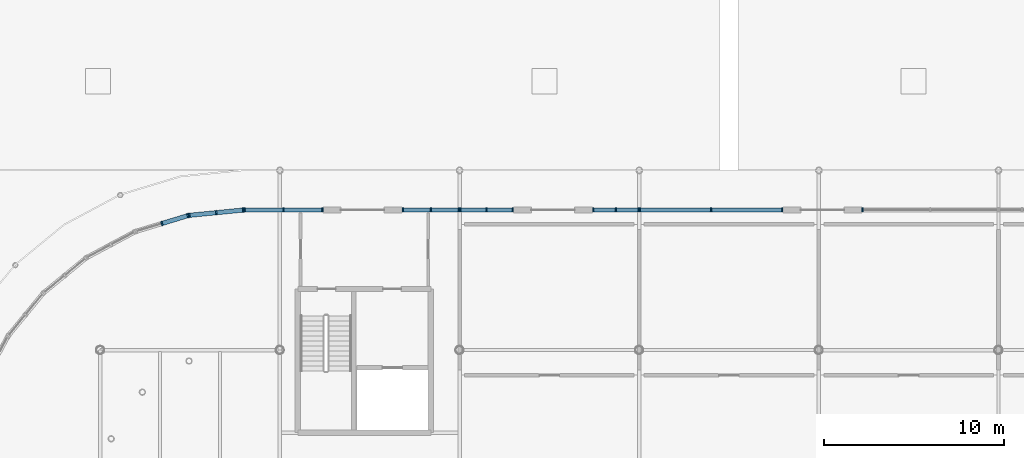
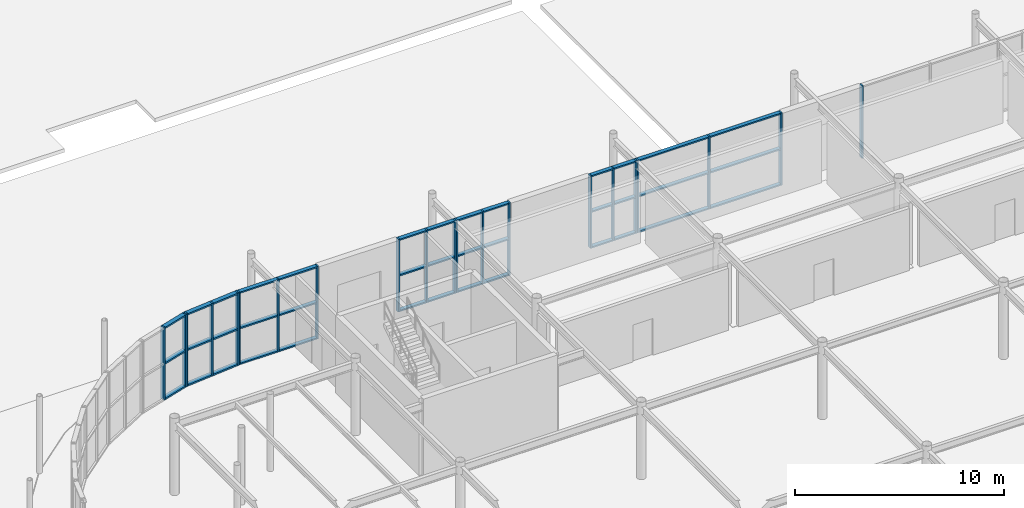
# One storey, part 60 of 119: 60 members, 8 elements without a shape of their own.
"""IFC4 building model written with IfcOpenShell, lengths in metres."""

from ifc_helpers import new_model, si_unit, derived_unit, direction, frame, origin, origin_2d_with_axis, place, context, subcontext, project, spatial, rectangle, extrude, material, material_profile, profile_set, type_object, element, aggregate, save


model = new_model("IFC4")

# Units and contexts
model_context = context("Model", 3, precision=1e-05, world=origin(), true_north=direction((0.0, 1.0)))
body_context = subcontext(model_context, "Body", "Model", "MODEL_VIEW")
ifc_project = project(units=[si_unit("LENGTHUNIT", "METRE"), si_unit("AREAUNIT", "SQUARE_METRE"), si_unit("VOLUMEUNIT", "CUBIC_METRE"), si_unit("PLANEANGLEUNIT", "RADIAN"), si_unit("MASSUNIT", "GRAM", prefix="KILO"), derived_unit("THERMALTRANSMITTANCEUNIT", [(si_unit("POWERUNIT", "WATT"), 1), (si_unit("LENGTHUNIT", "METRE"), -2), (si_unit("THERMODYNAMICTEMPERATUREUNIT", "KELVIN"), -1)])], contexts=[model_context])

# Site, building, storey
site_placement = place(None, origin())
site = spatial("IfcSite", under=ifc_project, at=site_placement, CompositionType="ELEMENT")
building_placement = place(site_placement, origin())
building = spatial("IfcBuilding", under=site, at=building_placement, Name="Cinnabar Yard Market Hall", CompositionType="ELEMENT")
storey_placement = place(building_placement, origin())
storey = spatial("IfcBuildingStorey", under=building, at=storey_placement, Name="L00", CompositionType="ELEMENT", Elevation=0.0)

# Curtain wall, members
ifc_material_1 = material(Name="Anodised bronze aluminium curved-chord facade", Category="aluminium")
curtain_wall_type_1 = type_object("IfcCurtainWallType", Name="CW-CWC031x42", PredefinedType="NOTDEFINED", material=ifc_material_1)
curtain_wall_1_placement = place(storey_placement, origin())
curtain_wall_1 = element("IfcCurtainWall", 1, at=curtain_wall_1_placement, inside=storey, type_object=curtain_wall_type_1, Name="Corner NW Chord 1 L00", PredefinedType="NOTDEFINED")
ifc_material_2 = material(Name="Anodised bronze aluminium", Category="aluminium")
ifc_material_profile_1 = material_profile(ifc_material_2, rectangle(XDim=0.239990234375, YDim=0.090087890625, at=origin_2d_with_axis()), Name="MUL-CWC")
ifc_profile_set_1 = profile_set([ifc_material_profile_1], Name="Anodised bronze aluminium")
member_type_1 = type_object("IfcMemberType", Name="CWM-CWC", PredefinedType="MULLION", material=ifc_profile_set_1)
member_1_placement = place(storey_placement, frame((83.955322265625, 71.795654296875, 0.0), z_axis=(0.0, 0.0, 1.0), x_axis=(0.098020369342, -0.995184408637, 0.0)))
member_1 = element("IfcMember", 2, at=member_1_placement, type_object=member_type_1, Name="CWC031x42 mullion 1", PredefinedType="MULLION", context=body_context, shape_type="SweptSolid", body=[
    extrude(rectangle(XDim=0.239990234375, YDim=0.090087890625, at=origin_2d_with_axis()), origin(), (0.0, 0.0, 1.0), 4.239990234375),
])
member_2_placement = place(storey_placement, frame((82.458740234375, 71.648193359375, 0.0), z_axis=(0.0, 0.0, 1.0), x_axis=(0.098020369342, -0.995184408637, 0.0)))
member_2 = element("IfcMember", 3, at=member_2_placement, type_object=member_type_1, Name="CWC031x42 mullion 2", PredefinedType="MULLION", context=body_context, shape_type="SweptSolid", body=[
    extrude(rectangle(XDim=0.239990234375, YDim=0.090087890625, at=origin_2d_with_axis()), origin(), (0.0, 0.0, 1.0), 4.239990234375),
])
member_3_placement = place(storey_placement, frame((80.96240234375, 71.500732421875, 0.0), z_axis=(0.0, 0.0, 1.0), x_axis=(0.098020369342, -0.995184408637, 0.0)))
member_3 = element("IfcMember", 4, at=member_3_placement, type_object=member_type_1, Name="CWC031x42 mullion 3", PredefinedType="MULLION", context=body_context, shape_type="SweptSolid", body=[
    extrude(rectangle(XDim=0.239990234375, YDim=0.090087890625, at=origin_2d_with_axis()), origin(), (0.0, 0.0, 1.0), 4.239990234375),
])

curtain_wall_2_placement = place(storey_placement, origin())
curtain_wall_2 = element("IfcCurtainWall", 5, at=curtain_wall_2_placement, inside=storey, type_object=curtain_wall_type_1, Name="Corner NW Chord 2 L00", PredefinedType="NOTDEFINED")
member_4_placement = place(storey_placement, frame((80.87451171875, 71.4833984375, 0.0), z_axis=(0.0, 0.0, 1.0), x_axis=(0.290278891325, -0.956942090856, 0.0)))
member_4 = element("IfcMember", 6, at=member_4_placement, type_object=member_type_1, Name="CWC031x42 mullion 1", PredefinedType="MULLION", context=body_context, shape_type="SweptSolid", body=[
    extrude(rectangle(XDim=0.239990234375, YDim=0.090087890625, at=origin_2d_with_axis()), origin(), (0.0, 0.0, 1.0), 4.239990234375),
])
member_5_placement = place(storey_placement, frame((79.435546875, 71.046875, 0.0), z_axis=(0.0, 0.0, 1.0), x_axis=(0.290278891325, -0.956942090856, 0.0)))
member_5 = element("IfcMember", 7, at=member_5_placement, type_object=member_type_1, Name="CWC031x42 mullion 2", PredefinedType="MULLION", context=body_context, shape_type="SweptSolid", body=[
    extrude(rectangle(XDim=0.239990234375, YDim=0.090087890625, at=origin_2d_with_axis()), origin(), (0.0, 0.0, 1.0), 4.239990234375),
])

ifc_material_3 = material(Name="Anodised bronze aluminium and low-E glass", Category="aluminium")
curtain_wall_type_2 = type_object("IfcCurtainWallType", Name="CW-CWH044x42", PredefinedType="NOTDEFINED", material=ifc_material_3)
curtain_wall_3_placement = place(storey_placement, origin())
curtain_wall_3 = element("IfcCurtainWall", 8, at=curtain_wall_3_placement, inside=storey, type_object=curtain_wall_type_2, Name="Market Hall North Ground Glazing B1A", PredefinedType="NOTDEFINED")
ifc_material_profile_2 = material_profile(ifc_material_2, rectangle(XDim=0.219970703125, YDim=0.080078125, at=origin_2d_with_axis()), Name="MUL-CWH")
ifc_profile_set_2 = profile_set([ifc_material_profile_2], Name="Anodised bronze aluminium")
member_type_2 = type_object("IfcMemberType", Name="CWM-CWH", PredefinedType="MULLION", material=ifc_profile_set_2)
member_6_placement = place(storey_placement, frame((88.360107421875, 71.800048828125, 0.0), z_axis=(0.0, 0.0, 1.0), x_axis=(0.0, -1.0, 0.0)))
member_6 = element("IfcMember", 9, at=member_6_placement, type_object=member_type_2, Name="CWH044x42 mullion 1", PredefinedType="MULLION", context=body_context, shape_type="SweptSolid", body=[
    extrude(rectangle(XDim=0.219970703125, YDim=0.080078125, at=origin_2d_with_axis()), origin(), (0.0, 0.0, 1.0), 4.239990234375),
])
member_7_placement = place(storey_placement, frame((86.199951171875, 71.800048828125, 0.0), z_axis=(0.0, 0.0, 1.0), x_axis=(0.0, -1.0, 0.0)))
member_7 = element("IfcMember", 10, at=member_7_placement, type_object=member_type_2, Name="CWH044x42 mullion 2", PredefinedType="MULLION", context=body_context, shape_type="SweptSolid", body=[
    extrude(rectangle(XDim=0.219970703125, YDim=0.080078125, at=origin_2d_with_axis()), origin(), (0.0, 0.0, 1.0), 4.239990234375),
])
member_8_placement = place(storey_placement, frame((84.0400390625, 71.800048828125, 0.0), z_axis=(0.0, 0.0, 1.0), x_axis=(0.0, -1.0, 0.0)))
member_8 = element("IfcMember", 11, at=member_8_placement, type_object=member_type_2, Name="CWH044x42 mullion 3", PredefinedType="MULLION", context=body_context, shape_type="SweptSolid", body=[
    extrude(rectangle(XDim=0.219970703125, YDim=0.080078125, at=origin_2d_with_axis()), origin(), (0.0, 0.0, 1.0), 4.239990234375),
])

curtain_wall_type_3 = type_object("IfcCurtainWallType", Name="CW-CWH032x42", PredefinedType="NOTDEFINED", material=ifc_material_3)
curtain_wall_4_placement = place(storey_placement, origin())
curtain_wall_4 = element("IfcCurtainWall", 12, at=curtain_wall_4_placement, inside=storey, type_object=curtain_wall_type_3, Name="Market Hall North Ground Glazing B1B", PredefinedType="NOTDEFINED")
member_9_placement = place(storey_placement, frame((95.9599609375, 71.800048828125, 0.0), z_axis=(0.0, 0.0, 1.0), x_axis=(0.0, -1.0, 0.0)))
member_9 = element("IfcMember", 13, at=member_9_placement, type_object=member_type_2, Name="CWH032x42 mullion 1", PredefinedType="MULLION", context=body_context, shape_type="SweptSolid", body=[
    extrude(rectangle(XDim=0.219970703125, YDim=0.080078125, at=origin_2d_with_axis()), origin(), (0.0, 0.0, 1.0), 4.239990234375),
])
member_10_placement = place(storey_placement, frame((94.39990234375, 71.800048828125, 0.0), z_axis=(0.0, 0.0, 1.0), x_axis=(0.0, -1.0, 0.0)))
member_10 = element("IfcMember", 14, at=member_10_placement, type_object=member_type_2, Name="CWH032x42 mullion 2", PredefinedType="MULLION", context=body_context, shape_type="SweptSolid", body=[
    extrude(rectangle(XDim=0.219970703125, YDim=0.080078125, at=origin_2d_with_axis()), origin(), (0.0, 0.0, 1.0), 4.239990234375),
])
member_11_placement = place(storey_placement, frame((92.840087890625, 71.800048828125, 0.0), z_axis=(0.0, 0.0, 1.0), x_axis=(0.0, -1.0, 0.0)))
member_11 = element("IfcMember", 15, at=member_11_placement, type_object=member_type_2, Name="CWH032x42 mullion 3", PredefinedType="MULLION", context=body_context, shape_type="SweptSolid", body=[
    extrude(rectangle(XDim=0.219970703125, YDim=0.080078125, at=origin_2d_with_axis()), origin(), (0.0, 0.0, 1.0), 4.239990234375),
])

curtain_wall_type_4 = type_object("IfcCurtainWallType", Name="CW-CWH030x42", PredefinedType="NOTDEFINED", material=ifc_material_3)
curtain_wall_5_placement = place(storey_placement, origin())
curtain_wall_5 = element("IfcCurtainWall", 16, at=curtain_wall_5_placement, inside=storey, type_object=curtain_wall_type_4, Name="Market Hall North Ground Glazing B2A", PredefinedType="NOTDEFINED")
member_12_placement = place(storey_placement, frame((98.9599609375, 71.800048828125, 0.0), z_axis=(0.0, 0.0, 1.0), x_axis=(0.0, -1.0, 0.0)))
member_12 = element("IfcMember", 17, at=member_12_placement, type_object=member_type_2, Name="CWH030x42 mullion 1", PredefinedType="MULLION", context=body_context, shape_type="SweptSolid", body=[
    extrude(rectangle(XDim=0.219970703125, YDim=0.080078125, at=origin_2d_with_axis()), origin(), (0.0, 0.0, 1.0), 4.239990234375),
])
member_13_placement = place(storey_placement, frame((97.5, 71.800048828125, 0.0), z_axis=(0.0, 0.0, 1.0), x_axis=(0.0, -1.0, 0.0)))
member_13 = element("IfcMember", 18, at=member_13_placement, type_object=member_type_2, Name="CWH030x42 mullion 2", PredefinedType="MULLION", context=body_context, shape_type="SweptSolid", body=[
    extrude(rectangle(XDim=0.219970703125, YDim=0.080078125, at=origin_2d_with_axis()), origin(), (0.0, 0.0, 1.0), 4.239990234375),
])
member_14_placement = place(storey_placement, frame((96.0400390625, 71.800048828125, 0.0), z_axis=(0.0, 0.0, 1.0), x_axis=(0.0, -1.0, 0.0)))
member_14 = element("IfcMember", 19, at=member_14_placement, type_object=member_type_2, Name="CWH030x42 mullion 3", PredefinedType="MULLION", context=body_context, shape_type="SweptSolid", body=[
    extrude(rectangle(XDim=0.219970703125, YDim=0.080078125, at=origin_2d_with_axis()), origin(), (0.0, 0.0, 1.0), 4.239990234375),
])

curtain_wall_type_5 = type_object("IfcCurtainWallType", Name="CW-CWH026x42", PredefinedType="NOTDEFINED", material=ifc_material_3)
curtain_wall_6_placement = place(storey_placement, origin())
curtain_wall_6 = element("IfcCurtainWall", 20, at=curtain_wall_6_placement, inside=storey, type_object=curtain_wall_type_5, Name="Market Hall North Ground Glazing B2B", PredefinedType="NOTDEFINED")
member_15_placement = place(storey_placement, frame((105.9599609375, 71.800048828125, 0.0), z_axis=(0.0, 0.0, 1.0), x_axis=(0.0, -1.0, 0.0)))
member_15 = element("IfcMember", 21, at=member_15_placement, type_object=member_type_2, Name="CWH026x42 mullion 1", PredefinedType="MULLION", context=body_context, shape_type="SweptSolid", body=[
    extrude(rectangle(XDim=0.219970703125, YDim=0.080078125, at=origin_2d_with_axis()), origin(), (0.0, 0.0, 1.0), 4.239990234375),
])
member_16_placement = place(storey_placement, frame((104.699951171875, 71.800048828125, 0.0), z_axis=(0.0, 0.0, 1.0), x_axis=(0.0, -1.0, 0.0)))
member_16 = element("IfcMember", 22, at=member_16_placement, type_object=member_type_2, Name="CWH026x42 mullion 2", PredefinedType="MULLION", context=body_context, shape_type="SweptSolid", body=[
    extrude(rectangle(XDim=0.219970703125, YDim=0.080078125, at=origin_2d_with_axis()), origin(), (0.0, 0.0, 1.0), 4.239990234375),
])
member_17_placement = place(storey_placement, frame((103.43994140625, 71.800048828125, 0.0), z_axis=(0.0, 0.0, 1.0), x_axis=(0.0, -1.0, 0.0)))
member_17 = element("IfcMember", 23, at=member_17_placement, type_object=member_type_2, Name="CWH026x42 mullion 3", PredefinedType="MULLION", context=body_context, shape_type="SweptSolid", body=[
    extrude(rectangle(XDim=0.219970703125, YDim=0.080078125, at=origin_2d_with_axis()), origin(), (0.0, 0.0, 1.0), 4.239990234375),
])

curtain_wall_type_6 = type_object("IfcCurtainWallType", Name="CW-CWH080x42", PredefinedType="NOTDEFINED", material=ifc_material_3)
curtain_wall_7_placement = place(storey_placement, origin())
curtain_wall_7 = element("IfcCurtainWall", 24, at=curtain_wall_7_placement, inside=storey, type_object=curtain_wall_type_6, Name="Market Hall North Ground Glazing B3", PredefinedType="NOTDEFINED")
member_18_placement = place(storey_placement, frame((113.9599609375, 71.800048828125, 0.0), z_axis=(0.0, 0.0, 1.0), x_axis=(0.0, -1.0, 0.0)))
member_18 = element("IfcMember", 25, at=member_18_placement, type_object=member_type_2, Name="CWH080x42 mullion 1", PredefinedType="MULLION", context=body_context, shape_type="SweptSolid", body=[
    extrude(rectangle(XDim=0.219970703125, YDim=0.080078125, at=origin_2d_with_axis()), origin(), (0.0, 0.0, 1.0), 4.239990234375),
])
member_19_placement = place(storey_placement, frame((110.0, 71.800048828125, 0.0), z_axis=(0.0, 0.0, 1.0), x_axis=(0.0, -1.0, 0.0)))
member_19 = element("IfcMember", 26, at=member_19_placement, type_object=member_type_2, Name="CWH080x42 mullion 2", PredefinedType="MULLION", context=body_context, shape_type="SweptSolid", body=[
    extrude(rectangle(XDim=0.219970703125, YDim=0.080078125, at=origin_2d_with_axis()), origin(), (0.0, 0.0, 1.0), 4.239990234375),
])
member_20_placement = place(storey_placement, frame((106.0400390625, 71.800048828125, 0.0), z_axis=(0.0, 0.0, 1.0), x_axis=(0.0, -1.0, 0.0)))
member_20 = element("IfcMember", 27, at=member_20_placement, type_object=member_type_2, Name="CWH080x42 mullion 3", PredefinedType="MULLION", context=body_context, shape_type="SweptSolid", body=[
    extrude(rectangle(XDim=0.219970703125, YDim=0.080078125, at=origin_2d_with_axis()), origin(), (0.0, 0.0, 1.0), 4.239990234375),
])

# Curtain wall, member
curtain_wall_type_7 = type_object("IfcCurtainWallType", Name="CW-CWH076x42", PredefinedType="NOTDEFINED", material=ifc_material_3)
curtain_wall_8_placement = place(storey_placement, origin())
curtain_wall_8 = element("IfcCurtainWall", 28, at=curtain_wall_8_placement, inside=storey, type_object=curtain_wall_type_7, Name="Market Hall North Ground Glazing B4", PredefinedType="NOTDEFINED")
member_21_placement = place(storey_placement, frame((118.43994140625, 71.800048828125, 0.0), z_axis=(0.0, 0.0, 1.0), x_axis=(0.0, -1.0, 0.0)))
member_21 = element("IfcMember", 29, at=member_21_placement, type_object=member_type_2, Name="CWH076x42 mullion 3", PredefinedType="MULLION", context=body_context, shape_type="SweptSolid", body=[
    extrude(rectangle(XDim=0.219970703125, YDim=0.080078125, at=origin_2d_with_axis()), origin(), (0.0, 0.0, 1.0), 4.239990234375),
])
aggregate(curtain_wall_8, [member_21])

# Member
ifc_material_profile_3 = material_profile(ifc_material_2, rectangle(XDim=0.239990234375, YDim=0.090087890625, at=origin_2d_with_axis()), Name="TRN-CWC")
ifc_profile_set_3 = profile_set([ifc_material_profile_3], Name="Anodised bronze aluminium")
member_type_3 = type_object("IfcMemberType", Name="CWT-CWC", PredefinedType="USERDEFINED", material=ifc_profile_set_3)
member_22_placement = place(storey_placement, frame((83.910400390625, 71.791259765625, 0.044921875), z_axis=(-0.995176425197, -0.098101390058, 0.0), x_axis=(0.098101390058, -0.995176425197, 0.0)))
member_22 = element("IfcMember", 30, at=member_22_placement, type_object=member_type_3, Name="CWC031x42 transom 1.1", ObjectType="TRANSOM", PredefinedType="USERDEFINED", context=body_context, shape_type="SweptSolid", body=[
    extrude(rectangle(XDim=0.239990234375, YDim=0.090087890625, at=origin_2d_with_axis()), origin(), (0.0, 0.0, 1.0), 1.41357421875),
])

member_23_placement = place(storey_placement, frame((83.910400390625, 71.791259765625, 2.1201171875), z_axis=(-0.995176425197, -0.098101390058, 0.0), x_axis=(0.098101390058, -0.995176425197, 0.0)))
member_23 = element("IfcMember", 31, at=member_23_placement, type_object=member_type_3, Name="CWC031x42 transom 1.2", ObjectType="TRANSOM", PredefinedType="USERDEFINED", context=body_context, shape_type="SweptSolid", body=[
    extrude(rectangle(XDim=0.239990234375, YDim=0.090087890625, at=origin_2d_with_axis()), origin(), (0.0, 0.0, 1.0), 1.41357421875),
])

member_24_placement = place(storey_placement, frame((83.910400390625, 71.791259765625, 4.195068359375), z_axis=(-0.995176425197, -0.098101390058, 0.0), x_axis=(0.098101390058, -0.995176425197, 0.0)))
member_24 = element("IfcMember", 32, at=member_24_placement, type_object=member_type_3, Name="CWC031x42 transom 1.3", ObjectType="TRANSOM", PredefinedType="USERDEFINED", context=body_context, shape_type="SweptSolid", body=[
    extrude(rectangle(XDim=0.239990234375, YDim=0.090087890625, at=origin_2d_with_axis()), origin(), (0.0, 0.0, 1.0), 1.41357421875),
])

member_25_placement = place(storey_placement, frame((82.4140625, 71.643798828125, 0.044921875), z_axis=(-0.995178086946, -0.098084531214, 0.0), x_axis=(0.098084531214, -0.995178086946, 0.0)))
member_25 = element("IfcMember", 33, at=member_25_placement, type_object=member_type_3, Name="CWC031x42 transom 2.1", ObjectType="TRANSOM", PredefinedType="USERDEFINED", context=body_context, shape_type="SweptSolid", body=[
    extrude(rectangle(XDim=0.239990234375, YDim=0.090087890625, at=origin_2d_with_axis()), origin(), (0.0, 0.0, 1.0), 1.413818359375),
])

member_26_placement = place(storey_placement, frame((82.4140625, 71.643798828125, 2.1201171875), z_axis=(-0.995178086946, -0.098084531214, 0.0), x_axis=(0.098084531214, -0.995178086946, 0.0)))
member_26 = element("IfcMember", 34, at=member_26_placement, type_object=member_type_3, Name="CWC031x42 transom 2.2", ObjectType="TRANSOM", PredefinedType="USERDEFINED", context=body_context, shape_type="SweptSolid", body=[
    extrude(rectangle(XDim=0.239990234375, YDim=0.090087890625, at=origin_2d_with_axis()), origin(), (0.0, 0.0, 1.0), 1.413818359375),
])

member_27_placement = place(storey_placement, frame((82.4140625, 71.643798828125, 4.195068359375), z_axis=(-0.995178086946, -0.098084531214, 0.0), x_axis=(0.098084531214, -0.995178086946, 0.0)))
member_27 = element("IfcMember", 35, at=member_27_placement, type_object=member_type_3, Name="CWC031x42 transom 2.3", ObjectType="TRANSOM", PredefinedType="USERDEFINED", context=body_context, shape_type="SweptSolid", body=[
    extrude(rectangle(XDim=0.239990234375, YDim=0.090087890625, at=origin_2d_with_axis()), origin(), (0.0, 0.0, 1.0), 1.413818359375),
])

aggregate(curtain_wall_1, [member_1, member_2, member_3, member_22, member_23, member_24, member_25, member_26, member_27])

member_28_placement = place(storey_placement, frame((80.83154296875, 71.47021484375, 0.044921875), z_axis=(-0.956932850279, -0.290309352341, 0.0), x_axis=(0.290309352341, -0.956932850279, 0.0)))
member_28 = element("IfcMember", 36, at=member_28_placement, type_object=member_type_3, Name="CWC031x42 transom 1.1", ObjectType="TRANSOM", PredefinedType="USERDEFINED", context=body_context, shape_type="SweptSolid", body=[
    extrude(rectangle(XDim=0.239990234375, YDim=0.090087890625, at=origin_2d_with_axis()), origin(), (0.0, 0.0, 1.0), 1.41357421875),
])

member_29_placement = place(storey_placement, frame((80.83154296875, 71.47021484375, 2.1201171875), z_axis=(-0.956932850279, -0.290309352341, 0.0), x_axis=(0.290309352341, -0.956932850279, 0.0)))
member_29 = element("IfcMember", 37, at=member_29_placement, type_object=member_type_3, Name="CWC031x42 transom 1.2", ObjectType="TRANSOM", PredefinedType="USERDEFINED", context=body_context, shape_type="SweptSolid", body=[
    extrude(rectangle(XDim=0.239990234375, YDim=0.090087890625, at=origin_2d_with_axis()), origin(), (0.0, 0.0, 1.0), 1.41357421875),
])

member_30_placement = place(storey_placement, frame((80.83154296875, 71.47021484375, 4.195068359375), z_axis=(-0.956932850279, -0.290309352341, 0.0), x_axis=(0.290309352341, -0.956932850279, 0.0)))
member_30 = element("IfcMember", 38, at=member_30_placement, type_object=member_type_3, Name="CWC031x42 transom 1.3", ObjectType="TRANSOM", PredefinedType="USERDEFINED", context=body_context, shape_type="SweptSolid", body=[
    extrude(rectangle(XDim=0.239990234375, YDim=0.090087890625, at=origin_2d_with_axis()), origin(), (0.0, 0.0, 1.0), 1.41357421875),
])

aggregate(curtain_wall_2, [member_4, member_5, member_28, member_29, member_30])

ifc_material_profile_4 = material_profile(ifc_material_2, rectangle(XDim=0.219970703125, YDim=0.080078125, at=origin_2d_with_axis()), Name="TRN-CWH")
ifc_profile_set_4 = profile_set([ifc_material_profile_4], Name="Anodised bronze aluminium")
member_type_4 = type_object("IfcMemberType", Name="CWT-CWH", PredefinedType="USERDEFINED", material=ifc_profile_set_4)
member_31_placement = place(storey_placement, frame((88.320068359375, 71.800048828125, 0.0400390625), z_axis=(-1.0, 0.0, 0.0), x_axis=(0.0, -1.0, 0.0)))
member_31 = element("IfcMember", 39, at=member_31_placement, type_object=member_type_4, Name="CWH044x42 transom 1.1", ObjectType="TRANSOM", PredefinedType="USERDEFINED", context=body_context, shape_type="SweptSolid", body=[
    extrude(rectangle(XDim=0.219970703125, YDim=0.080078125, at=origin_2d_with_axis()), origin(), (0.0, 0.0, 1.0), 2.080078125),
])

member_32_placement = place(storey_placement, frame((88.320068359375, 71.800048828125, 2.1201171875), z_axis=(-1.0, 0.0, 0.0), x_axis=(0.0, -1.0, 0.0)))
member_32 = element("IfcMember", 40, at=member_32_placement, type_object=member_type_4, Name="CWH044x42 transom 1.2", ObjectType="TRANSOM", PredefinedType="USERDEFINED", context=body_context, shape_type="SweptSolid", body=[
    extrude(rectangle(XDim=0.219970703125, YDim=0.080078125, at=origin_2d_with_axis()), origin(), (0.0, 0.0, 1.0), 2.080078125),
])

member_33_placement = place(storey_placement, frame((88.320068359375, 71.800048828125, 4.199951171875), z_axis=(-1.0, 0.0, 0.0), x_axis=(0.0, -1.0, 0.0)))
member_33 = element("IfcMember", 41, at=member_33_placement, type_object=member_type_4, Name="CWH044x42 transom 1.3", ObjectType="TRANSOM", PredefinedType="USERDEFINED", context=body_context, shape_type="SweptSolid", body=[
    extrude(rectangle(XDim=0.219970703125, YDim=0.080078125, at=origin_2d_with_axis()), origin(), (0.0, 0.0, 1.0), 2.080078125),
])

member_34_placement = place(storey_placement, frame((86.159912109375, 71.800048828125, 0.0400390625), z_axis=(-1.0, 0.0, 0.0), x_axis=(0.0, -1.0, 0.0)))
member_34 = element("IfcMember", 42, at=member_34_placement, type_object=member_type_4, Name="CWH044x42 transom 2.1", ObjectType="TRANSOM", PredefinedType="USERDEFINED", context=body_context, shape_type="SweptSolid", body=[
    extrude(rectangle(XDim=0.219970703125, YDim=0.080078125, at=origin_2d_with_axis()), origin(), (0.0, 0.0, 1.0), 2.079833984375),
])

member_35_placement = place(storey_placement, frame((86.159912109375, 71.800048828125, 2.1201171875), z_axis=(-1.0, 0.0, 0.0), x_axis=(0.0, -1.0, 0.0)))
member_35 = element("IfcMember", 43, at=member_35_placement, type_object=member_type_4, Name="CWH044x42 transom 2.2", ObjectType="TRANSOM", PredefinedType="USERDEFINED", context=body_context, shape_type="SweptSolid", body=[
    extrude(rectangle(XDim=0.219970703125, YDim=0.080078125, at=origin_2d_with_axis()), origin(), (0.0, 0.0, 1.0), 2.079833984375),
])

member_36_placement = place(storey_placement, frame((86.159912109375, 71.800048828125, 4.199951171875), z_axis=(-1.0, 0.0, 0.0), x_axis=(0.0, -1.0, 0.0)))
member_36 = element("IfcMember", 44, at=member_36_placement, type_object=member_type_4, Name="CWH044x42 transom 2.3", ObjectType="TRANSOM", PredefinedType="USERDEFINED", context=body_context, shape_type="SweptSolid", body=[
    extrude(rectangle(XDim=0.219970703125, YDim=0.080078125, at=origin_2d_with_axis()), origin(), (0.0, 0.0, 1.0), 2.079833984375),
])

aggregate(curtain_wall_3, [member_6, member_7, member_8, member_31, member_32, member_33, member_34, member_35, member_36])

member_37_placement = place(storey_placement, frame((95.919921875, 71.800048828125, 0.0400390625), z_axis=(-1.0, 0.0, 0.0), x_axis=(0.0, -1.0, 0.0)))
member_37 = element("IfcMember", 45, at=member_37_placement, type_object=member_type_4, Name="CWH032x42 transom 1.1", ObjectType="TRANSOM", PredefinedType="USERDEFINED", context=body_context, shape_type="SweptSolid", body=[
    extrude(rectangle(XDim=0.219970703125, YDim=0.080078125, at=origin_2d_with_axis()), origin(), (0.0, 0.0, 1.0), 1.47998046875),
])

member_38_placement = place(storey_placement, frame((95.919921875, 71.800048828125, 2.1201171875), z_axis=(-1.0, 0.0, 0.0), x_axis=(0.0, -1.0, 0.0)))
member_38 = element("IfcMember", 46, at=member_38_placement, type_object=member_type_4, Name="CWH032x42 transom 1.2", ObjectType="TRANSOM", PredefinedType="USERDEFINED", context=body_context, shape_type="SweptSolid", body=[
    extrude(rectangle(XDim=0.219970703125, YDim=0.080078125, at=origin_2d_with_axis()), origin(), (0.0, 0.0, 1.0), 1.47998046875),
])

member_39_placement = place(storey_placement, frame((95.919921875, 71.800048828125, 4.199951171875), z_axis=(-1.0, 0.0, 0.0), x_axis=(0.0, -1.0, 0.0)))
member_39 = element("IfcMember", 47, at=member_39_placement, type_object=member_type_4, Name="CWH032x42 transom 1.3", ObjectType="TRANSOM", PredefinedType="USERDEFINED", context=body_context, shape_type="SweptSolid", body=[
    extrude(rectangle(XDim=0.219970703125, YDim=0.080078125, at=origin_2d_with_axis()), origin(), (0.0, 0.0, 1.0), 1.47998046875),
])

member_40_placement = place(storey_placement, frame((94.360107421875, 71.800048828125, 0.0400390625), z_axis=(-1.0, 0.0, 0.0), x_axis=(0.0, -1.0, 0.0)))
member_40 = element("IfcMember", 48, at=member_40_placement, type_object=member_type_4, Name="CWH032x42 transom 2.1", ObjectType="TRANSOM", PredefinedType="USERDEFINED", context=body_context, shape_type="SweptSolid", body=[
    extrude(rectangle(XDim=0.219970703125, YDim=0.080078125, at=origin_2d_with_axis()), origin(), (0.0, 0.0, 1.0), 1.480224609375),
])

member_41_placement = place(storey_placement, frame((94.360107421875, 71.800048828125, 2.1201171875), z_axis=(-1.0, 0.0, 0.0), x_axis=(0.0, -1.0, 0.0)))
member_41 = element("IfcMember", 49, at=member_41_placement, type_object=member_type_4, Name="CWH032x42 transom 2.2", ObjectType="TRANSOM", PredefinedType="USERDEFINED", context=body_context, shape_type="SweptSolid", body=[
    extrude(rectangle(XDim=0.219970703125, YDim=0.080078125, at=origin_2d_with_axis()), origin(), (0.0, 0.0, 1.0), 1.480224609375),
])

member_42_placement = place(storey_placement, frame((94.360107421875, 71.800048828125, 4.199951171875), z_axis=(-1.0, 0.0, 0.0), x_axis=(0.0, -1.0, 0.0)))
member_42 = element("IfcMember", 50, at=member_42_placement, type_object=member_type_4, Name="CWH032x42 transom 2.3", ObjectType="TRANSOM", PredefinedType="USERDEFINED", context=body_context, shape_type="SweptSolid", body=[
    extrude(rectangle(XDim=0.219970703125, YDim=0.080078125, at=origin_2d_with_axis()), origin(), (0.0, 0.0, 1.0), 1.480224609375),
])

aggregate(curtain_wall_4, [member_9, member_10, member_11, member_37, member_38, member_39, member_40, member_41, member_42])

member_43_placement = place(storey_placement, frame((98.919921875, 71.800048828125, 0.0400390625), z_axis=(-1.0, 0.0, 0.0), x_axis=(0.0, -1.0, 0.0)))
member_43 = element("IfcMember", 51, at=member_43_placement, type_object=member_type_4, Name="CWH030x42 transom 1.1", ObjectType="TRANSOM", PredefinedType="USERDEFINED", context=body_context, shape_type="SweptSolid", body=[
    extrude(rectangle(XDim=0.219970703125, YDim=0.080078125, at=origin_2d_with_axis()), origin(), (0.0, 0.0, 1.0), 1.3798828125),
])

member_44_placement = place(storey_placement, frame((98.919921875, 71.800048828125, 2.1201171875), z_axis=(-1.0, 0.0, 0.0), x_axis=(0.0, -1.0, 0.0)))
member_44 = element("IfcMember", 52, at=member_44_placement, type_object=member_type_4, Name="CWH030x42 transom 1.2", ObjectType="TRANSOM", PredefinedType="USERDEFINED", context=body_context, shape_type="SweptSolid", body=[
    extrude(rectangle(XDim=0.219970703125, YDim=0.080078125, at=origin_2d_with_axis()), origin(), (0.0, 0.0, 1.0), 1.3798828125),
])

member_45_placement = place(storey_placement, frame((98.919921875, 71.800048828125, 4.199951171875), z_axis=(-1.0, 0.0, 0.0), x_axis=(0.0, -1.0, 0.0)))
member_45 = element("IfcMember", 53, at=member_45_placement, type_object=member_type_4, Name="CWH030x42 transom 1.3", ObjectType="TRANSOM", PredefinedType="USERDEFINED", context=body_context, shape_type="SweptSolid", body=[
    extrude(rectangle(XDim=0.219970703125, YDim=0.080078125, at=origin_2d_with_axis()), origin(), (0.0, 0.0, 1.0), 1.3798828125),
])

member_46_placement = place(storey_placement, frame((97.4599609375, 71.800048828125, 0.0400390625), z_axis=(-1.0, 0.0, 0.0), x_axis=(0.0, -1.0, 0.0)))
member_46 = element("IfcMember", 54, at=member_46_placement, type_object=member_type_4, Name="CWH030x42 transom 2.1", ObjectType="TRANSOM", PredefinedType="USERDEFINED", context=body_context, shape_type="SweptSolid", body=[
    extrude(rectangle(XDim=0.219970703125, YDim=0.080078125, at=origin_2d_with_axis()), origin(), (0.0, 0.0, 1.0), 1.3798828125),
])

member_47_placement = place(storey_placement, frame((97.4599609375, 71.800048828125, 2.1201171875), z_axis=(-1.0, 0.0, 0.0), x_axis=(0.0, -1.0, 0.0)))
member_47 = element("IfcMember", 55, at=member_47_placement, type_object=member_type_4, Name="CWH030x42 transom 2.2", ObjectType="TRANSOM", PredefinedType="USERDEFINED", context=body_context, shape_type="SweptSolid", body=[
    extrude(rectangle(XDim=0.219970703125, YDim=0.080078125, at=origin_2d_with_axis()), origin(), (0.0, 0.0, 1.0), 1.3798828125),
])

member_48_placement = place(storey_placement, frame((97.4599609375, 71.800048828125, 4.199951171875), z_axis=(-1.0, 0.0, 0.0), x_axis=(0.0, -1.0, 0.0)))
member_48 = element("IfcMember", 56, at=member_48_placement, type_object=member_type_4, Name="CWH030x42 transom 2.3", ObjectType="TRANSOM", PredefinedType="USERDEFINED", context=body_context, shape_type="SweptSolid", body=[
    extrude(rectangle(XDim=0.219970703125, YDim=0.080078125, at=origin_2d_with_axis()), origin(), (0.0, 0.0, 1.0), 1.3798828125),
])

aggregate(curtain_wall_5, [member_12, member_13, member_14, member_43, member_44, member_45, member_46, member_47, member_48])

member_49_placement = place(storey_placement, frame((105.919921875, 71.800048828125, 0.0400390625), z_axis=(-1.0, 0.0, 0.0), x_axis=(0.0, -1.0, 0.0)))
member_49 = element("IfcMember", 57, at=member_49_placement, type_object=member_type_4, Name="CWH026x42 transom 1.1", ObjectType="TRANSOM", PredefinedType="USERDEFINED", context=body_context, shape_type="SweptSolid", body=[
    extrude(rectangle(XDim=0.219970703125, YDim=0.080078125, at=origin_2d_with_axis()), origin(), (0.0, 0.0, 1.0), 1.179931640625),
])

member_50_placement = place(storey_placement, frame((105.919921875, 71.800048828125, 2.1201171875), z_axis=(-1.0, 0.0, 0.0), x_axis=(0.0, -1.0, 0.0)))
member_50 = element("IfcMember", 58, at=member_50_placement, type_object=member_type_4, Name="CWH026x42 transom 1.2", ObjectType="TRANSOM", PredefinedType="USERDEFINED", context=body_context, shape_type="SweptSolid", body=[
    extrude(rectangle(XDim=0.219970703125, YDim=0.080078125, at=origin_2d_with_axis()), origin(), (0.0, 0.0, 1.0), 1.179931640625),
])

member_51_placement = place(storey_placement, frame((105.919921875, 71.800048828125, 4.199951171875), z_axis=(-1.0, 0.0, 0.0), x_axis=(0.0, -1.0, 0.0)))
member_51 = element("IfcMember", 59, at=member_51_placement, type_object=member_type_4, Name="CWH026x42 transom 1.3", ObjectType="TRANSOM", PredefinedType="USERDEFINED", context=body_context, shape_type="SweptSolid", body=[
    extrude(rectangle(XDim=0.219970703125, YDim=0.080078125, at=origin_2d_with_axis()), origin(), (0.0, 0.0, 1.0), 1.179931640625),
])

member_52_placement = place(storey_placement, frame((104.659912109375, 71.800048828125, 0.0400390625), z_axis=(-1.0, 0.0, 0.0), x_axis=(0.0, -1.0, 0.0)))
member_52 = element("IfcMember", 60, at=member_52_placement, type_object=member_type_4, Name="CWH026x42 transom 2.1", ObjectType="TRANSOM", PredefinedType="USERDEFINED", context=body_context, shape_type="SweptSolid", body=[
    extrude(rectangle(XDim=0.219970703125, YDim=0.080078125, at=origin_2d_with_axis()), origin(), (0.0, 0.0, 1.0), 1.179931640625),
])

member_53_placement = place(storey_placement, frame((104.659912109375, 71.800048828125, 2.1201171875), z_axis=(-1.0, 0.0, 0.0), x_axis=(0.0, -1.0, 0.0)))
member_53 = element("IfcMember", 61, at=member_53_placement, type_object=member_type_4, Name="CWH026x42 transom 2.2", ObjectType="TRANSOM", PredefinedType="USERDEFINED", context=body_context, shape_type="SweptSolid", body=[
    extrude(rectangle(XDim=0.219970703125, YDim=0.080078125, at=origin_2d_with_axis()), origin(), (0.0, 0.0, 1.0), 1.179931640625),
])

member_54_placement = place(storey_placement, frame((104.659912109375, 71.800048828125, 4.199951171875), z_axis=(-1.0, 0.0, 0.0), x_axis=(0.0, -1.0, 0.0)))
member_54 = element("IfcMember", 62, at=member_54_placement, type_object=member_type_4, Name="CWH026x42 transom 2.3", ObjectType="TRANSOM", PredefinedType="USERDEFINED", context=body_context, shape_type="SweptSolid", body=[
    extrude(rectangle(XDim=0.219970703125, YDim=0.080078125, at=origin_2d_with_axis()), origin(), (0.0, 0.0, 1.0), 1.179931640625),
])

aggregate(curtain_wall_6, [member_15, member_16, member_17, member_49, member_50, member_51, member_52, member_53, member_54])

member_55_placement = place(storey_placement, frame((113.919921875, 71.800048828125, 0.0400390625), z_axis=(-1.0, 0.0, 0.0), x_axis=(0.0, -1.0, 0.0)))
member_55 = element("IfcMember", 63, at=member_55_placement, type_object=member_type_4, Name="CWH080x42 transom 1.1", ObjectType="TRANSOM", PredefinedType="USERDEFINED", context=body_context, shape_type="SweptSolid", body=[
    extrude(rectangle(XDim=0.219970703125, YDim=0.080078125, at=origin_2d_with_axis()), origin(), (0.0, 0.0, 1.0), 3.8798828125),
])

member_56_placement = place(storey_placement, frame((113.919921875, 71.800048828125, 2.1201171875), z_axis=(-1.0, 0.0, 0.0), x_axis=(0.0, -1.0, 0.0)))
member_56 = element("IfcMember", 64, at=member_56_placement, type_object=member_type_4, Name="CWH080x42 transom 1.2", ObjectType="TRANSOM", PredefinedType="USERDEFINED", context=body_context, shape_type="SweptSolid", body=[
    extrude(rectangle(XDim=0.219970703125, YDim=0.080078125, at=origin_2d_with_axis()), origin(), (0.0, 0.0, 1.0), 3.8798828125),
])

member_57_placement = place(storey_placement, frame((113.919921875, 71.800048828125, 4.199951171875), z_axis=(-1.0, 0.0, 0.0), x_axis=(0.0, -1.0, 0.0)))
member_57 = element("IfcMember", 65, at=member_57_placement, type_object=member_type_4, Name="CWH080x42 transom 1.3", ObjectType="TRANSOM", PredefinedType="USERDEFINED", context=body_context, shape_type="SweptSolid", body=[
    extrude(rectangle(XDim=0.219970703125, YDim=0.080078125, at=origin_2d_with_axis()), origin(), (0.0, 0.0, 1.0), 3.8798828125),
])

member_58_placement = place(storey_placement, frame((109.9599609375, 71.800048828125, 0.0400390625), z_axis=(-1.0, 0.0, 0.0), x_axis=(0.0, -1.0, 0.0)))
member_58 = element("IfcMember", 66, at=member_58_placement, type_object=member_type_4, Name="CWH080x42 transom 2.1", ObjectType="TRANSOM", PredefinedType="USERDEFINED", context=body_context, shape_type="SweptSolid", body=[
    extrude(rectangle(XDim=0.219970703125, YDim=0.080078125, at=origin_2d_with_axis()), origin(), (0.0, 0.0, 1.0), 3.8798828125),
])

member_59_placement = place(storey_placement, frame((109.9599609375, 71.800048828125, 2.1201171875), z_axis=(-1.0, 0.0, 0.0), x_axis=(0.0, -1.0, 0.0)))
member_59 = element("IfcMember", 67, at=member_59_placement, type_object=member_type_4, Name="CWH080x42 transom 2.2", ObjectType="TRANSOM", PredefinedType="USERDEFINED", context=body_context, shape_type="SweptSolid", body=[
    extrude(rectangle(XDim=0.219970703125, YDim=0.080078125, at=origin_2d_with_axis()), origin(), (0.0, 0.0, 1.0), 3.8798828125),
])

member_60_placement = place(storey_placement, frame((109.9599609375, 71.800048828125, 4.199951171875), z_axis=(-1.0, 0.0, 0.0), x_axis=(0.0, -1.0, 0.0)))
member_60 = element("IfcMember", 68, at=member_60_placement, type_object=member_type_4, Name="CWH080x42 transom 2.3", ObjectType="TRANSOM", PredefinedType="USERDEFINED", context=body_context, shape_type="SweptSolid", body=[
    extrude(rectangle(XDim=0.219970703125, YDim=0.080078125, at=origin_2d_with_axis()), origin(), (0.0, 0.0, 1.0), 3.8798828125),
])

aggregate(curtain_wall_7, [member_18, member_19, member_20, member_55, member_56, member_57, member_58, member_59, member_60])

save(model, "model.ifc")
